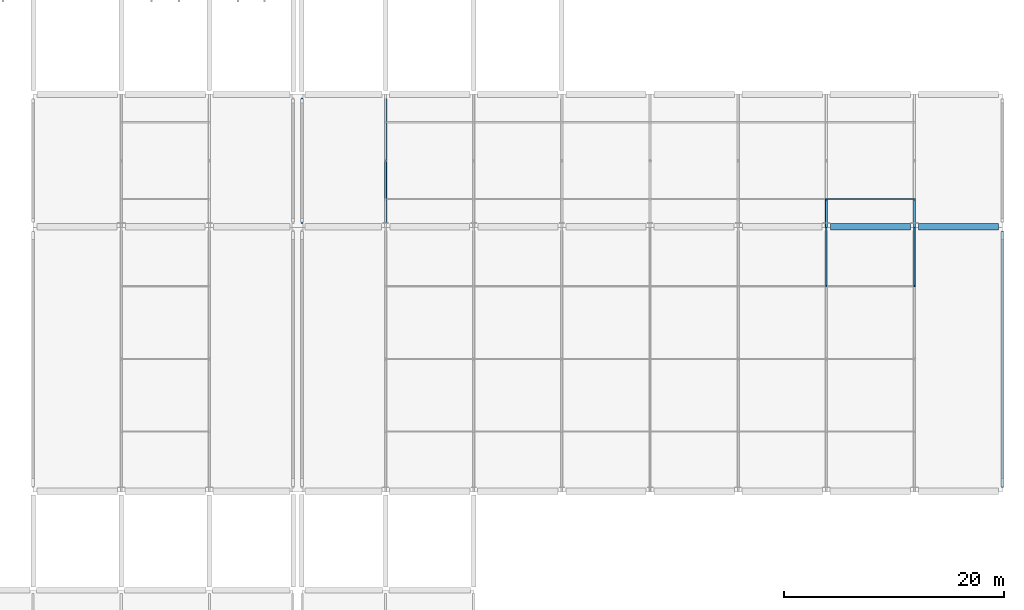
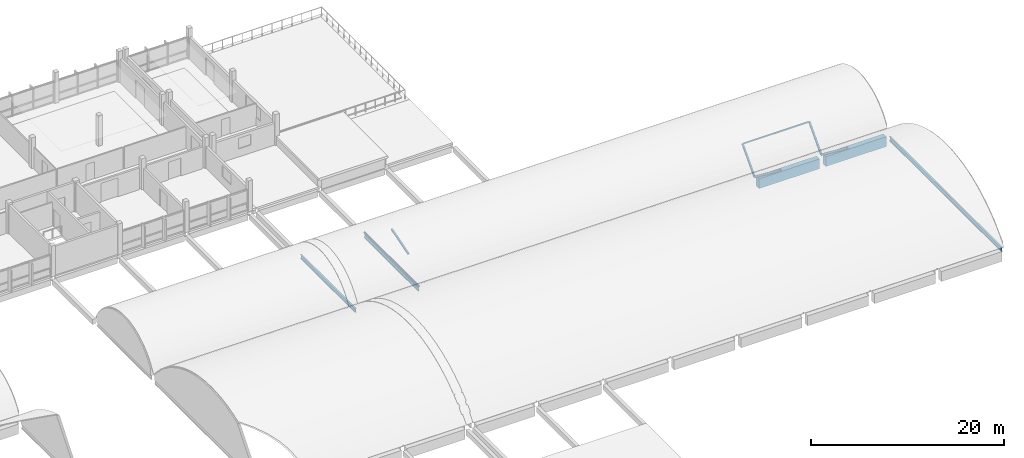
# One storey, part 35 of 57: 7 members, 5 beams.
"""IFC4 building model written with IfcOpenShell, lengths in metres."""

from ifc_helpers import new_model, si_unit, direction, frame, origin, origin_2d, place, context, subcontext, project, spatial, rectangle, hollow_rectangle, hollow_circle, i_section, extrude, material, material_profile, profile_set, type_object, element, save


model = new_model("IFC4")

# Units and contexts
model_context = context("Model", 3, precision=1e-05, world=origin(), true_north=direction((0.0, 1.0)))
body_context = subcontext(model_context, "Body", "Model", "MODEL_VIEW")
ifc_project = project(units=[si_unit("LENGTHUNIT", "METRE"), si_unit("AREAUNIT", "SQUARE_METRE"), si_unit("VOLUMEUNIT", "CUBIC_METRE"), si_unit("PLANEANGLEUNIT", "RADIAN"), si_unit("MASSUNIT", "GRAM", prefix="KILO"), si_unit("THERMODYNAMICTEMPERATUREUNIT", "KELVIN"), si_unit("POWERUNIT", "WATT")], contexts=[model_context])

# Site, building, storey
site_placement = place(None, origin())
site = spatial("IfcSite", under=ifc_project, at=site_placement, CompositionType="ELEMENT")
building_placement = place(site_placement, origin())
building = spatial("IfcBuilding", under=site, at=building_placement, Name="Kronsvod Quay Wholesale Market", CompositionType="ELEMENT")
storey_placement = place(building_placement, frame((0.0, 0.0, 13.199951171875)))
storey = spatial("IfcBuildingStorey", under=building, at=storey_placement, Name="L03", CompositionType="ELEMENT", Elevation=13.199951171875)

# Beams
ifc_material_1 = material(Name="Precast concrete C40/50", Category="concrete")
ifc_material_profile_1 = material_profile(ifc_material_1, rectangle(XDim=0.60009765625, YDim=1.25, at=origin_2d()), Name="PCVG600x1250")
ifc_profile_set_1 = profile_set([ifc_material_profile_1], Name="Precast concrete C40/50")
beam_type_1 = type_object("IfcBeamType", Name="Girder_PCVG600x1250", PredefinedType="T_BEAM", material=ifc_profile_set_1)
for number, where, z_axis, x_axis, name in (
    (1, (176.375, 78.0, -0.844970703125), (1.0, 0.0, 0.0), (0.0, 1.0, 0.0), "BMX-L03-1760-780"),
    (2, (184.375, 78.0, -0.844970703125), (1.0, 0.0, 0.0), (0.0, 1.0, 0.0), "BMX-L03-1840-780"),
):
    element("IfcBeam", number, at=place(storey_placement, frame(where, z_axis=z_axis, x_axis=x_axis)), inside=storey, type_object=beam_type_1, Name=name, PredefinedType="T_BEAM", context=body_context, shape_type="SweptSolid", body=[
        extrude(rectangle(XDim=0.60009765625, YDim=1.25, at=origin_2d()), origin(), (0.0, 0.0, 1.0), 7.25),
    ])
ifc_material_2 = material(Name="Steel S355", Category="steel")
ifc_material_profile_2 = material_profile(ifc_material_2, i_section(OverallWidth=0.198974609375, OverallDepth=0.49609375, WebThickness=0.009033203125, FlangeThickness=0.013916015625, FilletRadius=0.02001953125, at=origin_2d()), Name="50B1")
ifc_profile_set_2 = profile_set([ifc_material_profile_2], Name="Steel S355")
beam_type_2 = type_object("IfcBeamType", Name="Girder_Steel50B1", PredefinedType="T_BEAM", material=ifc_profile_set_2)
beam_1_placement = place(storey_placement, frame((128.39990234375, 78.300048828125, -0.468017578125), z_axis=(0.0, 1.0, 0.0), x_axis=(-1.0, 0.0, 0.0)))
element("IfcBeam", 3, at=beam_1_placement, inside=storey, type_object=beam_type_2, Name="BMY-L03-1284-780", PredefinedType="T_BEAM", context=body_context, shape_type="SweptSolid", body=[
    extrude(i_section(OverallWidth=0.198974609375, OverallDepth=0.49609375, WebThickness=0.009033203125, FlangeThickness=0.013916015625, FilletRadius=0.02001953125, at=origin_2d()), origin(), (0.0, 0.0, 1.0), 11.39990234375),
])
beam_2_placement = place(storey_placement, frame((136.0, 78.375, -0.468017578125), z_axis=(0.0, 1.0, 0.0), x_axis=(-1.0, 0.0, 0.0)))
element("IfcBeam", 4, at=beam_2_placement, inside=storey, type_object=beam_type_2, Name="BMY-L03-1360-780", PredefinedType="T_BEAM", context=body_context, shape_type="SweptSolid", body=[
    extrude(i_section(OverallWidth=0.198974609375, OverallDepth=0.49609375, WebThickness=0.009033203125, FlangeThickness=0.013916015625, FilletRadius=0.02001953125, at=origin_2d()), origin(), (0.0, 0.0, 1.0), 11.27490234375),
])
ifc_material_3 = material(Name="Steel S355", Category="steel")
ifc_material_profile_3 = material_profile(ifc_material_3, i_section(OverallWidth=0.199951171875, OverallDepth=0.5458984375, WebThickness=0.009521484375, FlangeThickness=0.014892578125, FilletRadius=0.02197265625, at=origin_2d()), Name="55B1")
ifc_profile_set_3 = profile_set([ifc_material_profile_3], Name="Steel S355")
beam_type_3 = type_object("IfcBeamType", Name="Girder_Steel55B1", PredefinedType="T_BEAM", material=ifc_profile_set_3)
beam_3_placement = place(storey_placement, frame((192.0, 54.35009765625, -0.492919921875), z_axis=(0.0, 1.0, 0.0), x_axis=(-1.0, 0.0, 0.0)))
element("IfcBeam", 5, at=beam_3_placement, inside=storey, type_object=beam_type_3, Name="BMY-L03-1920-540", PredefinedType="T_BEAM", context=body_context, shape_type="SweptSolid", body=[
    extrude(i_section(OverallWidth=0.199951171875, OverallDepth=0.5458984375, WebThickness=0.009521484375, FlangeThickness=0.014892578125, FilletRadius=0.02197265625, at=origin_2d()), origin(), (0.0, 0.0, 1.0), 23.27490234375),
])

# Members
ifc_material_4 = material(Name="Steel S355", Category="steel")
ifc_material_profile_4 = material_profile(ifc_material_4, hollow_rectangle(XDim=0.199951171875, YDim=0.199951171875, WallThickness=0.010009765625, InnerFilletRadius=0.010009765625, OuterFilletRadius=0.02001953125, at=origin_2d()), Name="RHS200x200x10")
ifc_profile_set_4 = profile_set([ifc_material_profile_4], Name="Steel S355")
member_type_1 = type_object("IfcMemberType", Name="Member_Arch200x200", PredefinedType="RAFTER", material=ifc_profile_set_4)
member_1_placement = place(storey_placement, frame((136.0, 80.509033203125, 2.705322265625), z_axis=(0.0, 0.95877511068, 0.284165950001), x_axis=(-1.0, 0.0, 0.0)))
element("IfcMember", 6, at=member_1_placement, inside=storey, type_object=member_type_1, Name="ARCG-SH-V2E-N-1360-1", PredefinedType="RAFTER", context=body_context, shape_type="SweptSolid", body=[
    extrude(hollow_rectangle(XDim=0.199951171875, YDim=0.199951171875, WallThickness=0.010009765625, InnerFilletRadius=0.010009765625, OuterFilletRadius=0.02001953125, at=origin_2d()), origin(), (0.0, 0.0, 1.0), 3.64111328125),
])
for number, where, z_axis, x_axis, name in (
    (7, (176.0, 78.0, -0.010009765625), (0.0, 0.67865576732, 0.734456499381), (-1.0, 0.0, 0.0), "ARCG-SH-V2E-N-1760-0"),
    (8, (184.0, 78.0, -0.010009765625), (0.0, 0.67865576732, 0.734456499381), (-1.0, 0.0, 0.0), "ARCG-SH-V2E-N-1840-0"),
):
    element("IfcMember", number, at=place(storey_placement, frame(where, z_axis=z_axis, x_axis=x_axis)), inside=storey, type_object=member_type_1, Name=name, PredefinedType="RAFTER", context=body_context, shape_type="SweptSolid", body=[
        extrude(hollow_rectangle(XDim=0.199951171875, YDim=0.199951171875, WallThickness=0.010009765625, InnerFilletRadius=0.010009765625, OuterFilletRadius=0.02001953125, at=origin_2d()), origin(), (0.0, 0.0, 1.0), 3.697021484375),
    ])
ifc_material_5 = material(Name="Steel S355", Category="steel")
ifc_material_profile_5 = material_profile(ifc_material_5, hollow_rectangle(XDim=0.14990234375, YDim=0.25, WallThickness=0.010009765625, InnerFilletRadius=0.010009765625, OuterFilletRadius=0.02001953125, at=origin_2d()), Name="RHS250x150x10")
ifc_profile_set_5 = profile_set([ifc_material_profile_5], Name="Steel S355")
member_type_2 = type_object("IfcMemberType", Name="Member_Arch250x150", PredefinedType="RAFTER", material=ifc_profile_set_5)
for number, where, z_axis, x_axis, name in (
    (9, (176.0, 72.594482421875, 4.1298828125), (0.0, 0.79391386882, -0.608030236827), (-1.0, 0.0, 0.0), "ARCG-SH-V2E-M-1760-3"),
    (10, (184.0, 72.594482421875, 4.1298828125), (0.0, 0.79391386882, -0.608030236827), (-1.0, 0.0, 0.0), "ARCG-SH-V2E-M-1840-3"),
):
    element("IfcMember", number, at=place(storey_placement, frame(where, z_axis=z_axis, x_axis=x_axis)), inside=storey, type_object=member_type_2, Name=name, PredefinedType="RAFTER", context=body_context, shape_type="SweptSolid", body=[
        extrude(hollow_rectangle(XDim=0.14990234375, YDim=0.25, WallThickness=0.010009765625, InnerFilletRadius=0.010009765625, OuterFilletRadius=0.02001953125, at=origin_2d()), origin(), (0.0, 0.0, 1.0), 6.80859375),
    ])
ifc_material_6 = material(Name="Steel S355", Category="steel")
ifc_material_profile_6 = material_profile(ifc_material_6, hollow_circle(Radius=0.109619140625, WallThickness=0.010009765625, at=origin_2d()), Name="CHS219x10")
ifc_profile_set_6 = profile_set([ifc_material_profile_6], Name="Steel S355")
member_type_3 = type_object("IfcMemberType", Name="Member_Chord219x10", PredefinedType="CHORD", material=ifc_profile_set_6)
member_2_placement = place(storey_placement, frame((136.0, 78.340087890625, -0.079833984375), z_axis=(0.0, 1.0, 0.0), x_axis=(-1.0, 0.0, 0.0)))
element("IfcMember", 11, at=member_2_placement, inside=storey, type_object=member_type_3, Name="CHDG-SH-V2E-N-1360", PredefinedType="CHORD", context=body_context, shape_type="SweptSolid", body=[
    extrude(hollow_circle(Radius=0.109619140625, WallThickness=0.010009765625, at=origin_2d()), origin(), (0.0, 0.0, 1.0), 11.31982421875),
])
ifc_material_7 = material(Name="Steel S355", Category="steel")
ifc_material_profile_7 = material_profile(ifc_material_7, hollow_rectangle(XDim=0.10009765625, YDim=0.179931640625, WallThickness=0.008056640625, InnerFilletRadius=0.008056640625, OuterFilletRadius=0.01611328125, at=origin_2d()), Name="RHS180x100x8")
ifc_profile_set_7 = profile_set([ifc_material_profile_7], Name="Steel S355")
member_type_4 = type_object("IfcMemberType", Name="Member_Purlin180x100", PredefinedType="PURLIN", material=ifc_profile_set_7)
member_3_placement = place(storey_placement, frame((176.080078125, 80.509033203125, 2.645263671875), z_axis=(1.0, 0.0, 0.0), x_axis=(0.0, 1.0, 0.0)))
element("IfcMember", 12, at=member_3_placement, inside=storey, type_object=member_type_4, Name="PRLG-SH-V2E-N-5-0", PredefinedType="PURLIN", context=body_context, shape_type="SweptSolid", body=[
    extrude(hollow_rectangle(XDim=0.10009765625, YDim=0.179931640625, WallThickness=0.008056640625, InnerFilletRadius=0.008056640625, OuterFilletRadius=0.01611328125, at=origin_2d()), origin(), (0.0, 0.0, 1.0), 7.83984375),
])

save(model, "model.ifc")
